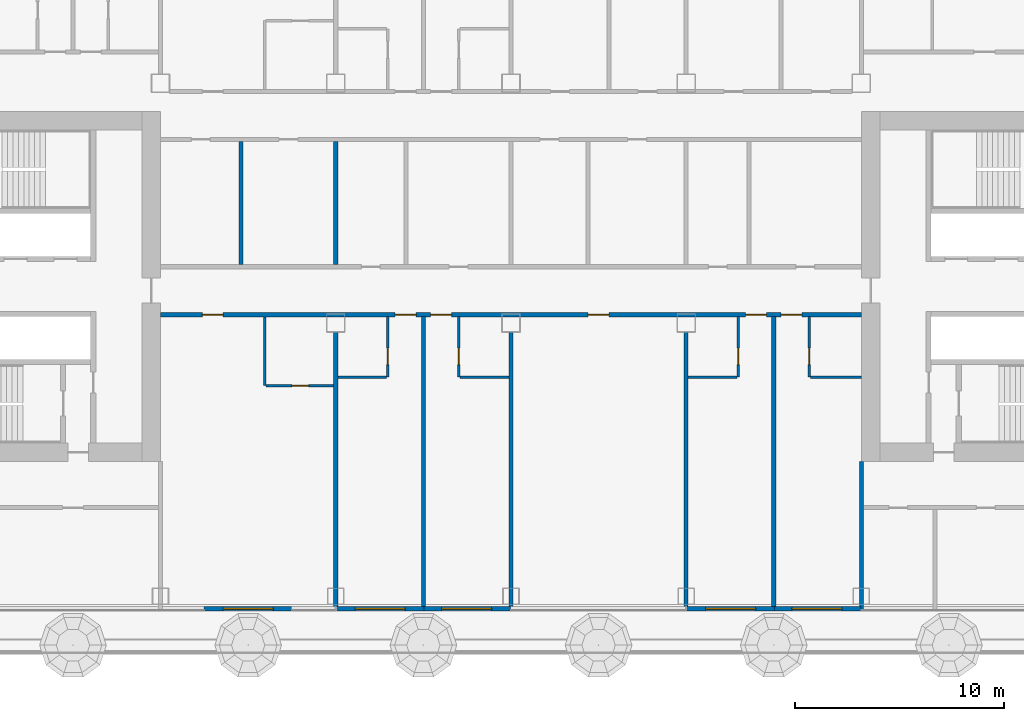
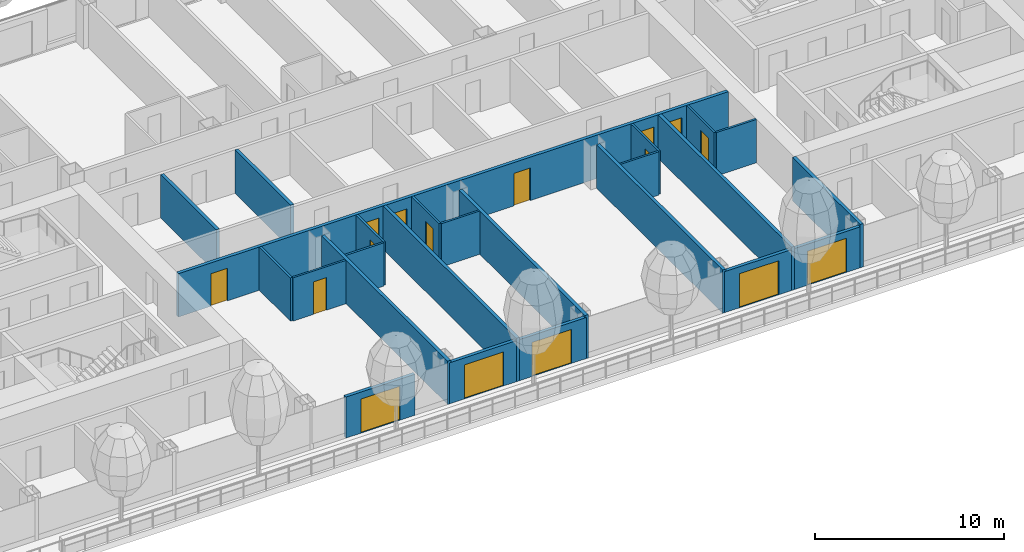
# One storey, part 13 of 33: 24 walls, 16 doors, 16 openings, 1 element without a shape of its own.
"""IFC4 building model written with IfcOpenShell, lengths in metres."""

from ifc_helpers import new_model, si_unit, direction, frame, frame_2d, origin, place, context, subcontext, project, spatial, rectangle, extrude, material, layer, layer_set, type_object, element, fill, aggregate, save


model = new_model("IFC4")

# Units and contexts
model_context = context("Model", 3, precision=1e-05, world=origin(), true_north=direction((0.0, 1.0)))
body_context = subcontext(model_context, "Body", "Model", "MODEL_VIEW")
ifc_project = project(units=[si_unit("LENGTHUNIT", "METRE"), si_unit("AREAUNIT", "SQUARE_METRE"), si_unit("VOLUMEUNIT", "CUBIC_METRE"), si_unit("PLANEANGLEUNIT", "RADIAN"), si_unit("MASSUNIT", "GRAM", prefix="KILO")], contexts=[model_context])

# Site, building, storey
site_placement = place(None, origin())
site = spatial("IfcSite", under=ifc_project, at=site_placement, CompositionType="ELEMENT")
building_placement = place(site_placement, origin())
building = spatial("IfcBuilding", under=site, at=building_placement, Name="Hakoniwa Tower and Hamabe Station Hall", CompositionType="ELEMENT")
storey_placement = place(building_placement, frame((0.0, 0.0, 81.800048828125)))
storey = spatial("IfcBuildingStorey", under=building, at=storey_placement, Name="L22", CompositionType="ELEMENT", Elevation=81.800048828125)

# Wall, opening, door
ifc_material_1 = material(Name="Gypsum board partition", Category="gypsum")
ifc_layer_1 = layer(ifc_material_1, 0.125)
ifc_layer_set_1 = layer_set([ifc_layer_1], Name="Bathroom Partition 125")
wall_type_1 = type_object("IfcWallType", Name="Bathroom Partition 125", PredefinedType="PARTITIONING", material=ifc_layer_set_1)
wall_1_placement = place(storey_placement, frame((-11.737548828125, -4.75, 0.0), z_axis=(0.0, 0.0, 1.0), x_axis=(1.0, 0.0, 0.0)))
wall_1 = element("IfcWall", 1, at=wall_1_placement, inside=storey, type_object=wall_type_1, Name="GW-L22-007", PredefinedType="PARTITIONING", context=body_context, shape_type="SweptSolid", body=[
    extrude(rectangle(XDim=3.237548828125, YDim=0.125, at=frame_2d((1.61865234375, 0.0))), origin(), (0.0, 0.0, 1.0), 2.800048828125),
])
opening_1_placement = place(wall_1_placement, frame((1.237548828125, 0.0, 0.0)))
opening_1 = element("IfcOpeningElement", 2, at=opening_1_placement, cuts=wall_1, Name="Opening GD-G2C0-16", PredefinedType="OPENING", context=body_context, shape_type="SweptSolid", body=[
    extrude(rectangle(XDim=0.800048828125, YDim=2.10009765625, at=frame_2d((0.39990234375, 1.050048828125))), frame((0.0, 0.072509765625, 0.0), z_axis=(0.0, -1.0, 0.0), x_axis=(1.0, 0.0, 0.0)), (0.0, 0.0, 1.0), 0.14501953125),
])
ifc_material_2 = material(Name="Timber door leaf", Category="wood")
door_type_1 = type_object("IfcDoorType", Name="Bathroom Door 800", OperationType="SINGLE_SWING_LEFT", PredefinedType="DOOR", material=ifc_material_2)
door_1_placement = place(opening_1_placement, origin())
door_1 = element("IfcDoor", 3, at=door_1_placement, inside=storey, type_object=door_type_1, Name="Door GD-G2C0-16", OperationType="SINGLE_SWING_LEFT", OverallHeight=2.10009765625, OverallWidth=0.800048828125, PredefinedType="DOOR", context=body_context, shape_type="SweptSolid", body=[
    extrude(rectangle(XDim=0.800048828125, YDim=2.10009765625, at=frame_2d((0.39990234375, 1.050048828125))), frame((0.0, 0.02490234375, 0.0), z_axis=(0.0, -1.0, 0.0), x_axis=(1.0, 0.0, 0.0)), (0.0, 0.0, 1.0), 0.050048828125),
])
fill(opening_1, door_1)

# Walls
wall_2_placement = place(storey_placement, frame((-8.300048828125, -4.35009765625, 0.0), z_axis=(0.0, 0.0, 1.0), x_axis=(1.0, 0.0, 0.0)))
element("IfcWall", 4, at=wall_2_placement, inside=storey, type_object=wall_type_1, Name="GW-L22-008", PredefinedType="PARTITIONING", context=body_context, shape_type="SweptSolid", body=[
    extrude(rectangle(XDim=2.337646484375, YDim=0.125, at=frame_2d((1.1689453125, 0.0))), origin(), (0.0, 0.0, 1.0), 2.800048828125),
])
for number, where, z_axis, x_axis, name in (
    (5, (-2.4375, -4.35009765625, 0.0), (0.0, 0.0, 1.0), (1.0, 0.0, 0.0), "GW-L22-009"),
    (6, (8.5, -4.35009765625, 0.0), (0.0, 0.0, 1.0), (1.0, 0.0, 0.0), "GW-L22-010"),
):
    element("IfcWall", number, at=place(storey_placement, frame(where, z_axis=z_axis, x_axis=x_axis)), inside=storey, type_object=wall_type_1, Name=name, PredefinedType="PARTITIONING", context=body_context, shape_type="SweptSolid", body=[
        extrude(rectangle(XDim=2.33740234375, YDim=0.125, at=frame_2d((1.168701171875, 0.0))), origin(), (0.0, 0.0, 1.0), 2.800048828125),
    ])
wall_3_placement = place(storey_placement, frame((14.362548828125, -4.35009765625, 0.0), z_axis=(0.0, 0.0, 1.0), x_axis=(1.0, 0.0, 0.0)))
element("IfcWall", 7, at=wall_3_placement, inside=storey, type_object=wall_type_1, Name="GW-L22-011", PredefinedType="PARTITIONING", context=body_context, shape_type="SweptSolid", body=[
    extrude(rectangle(XDim=2.447509765625, YDim=0.125, at=frame_2d((1.2236328125, 0.0))), origin(), (0.0, 0.0, 1.0), 2.800048828125),
])
wall_4_placement = place(storey_placement, frame((-11.800048828125, -4.75, 0.0), z_axis=(0.0, 0.0, 1.0), x_axis=(0.0, 1.0, 0.0)))
element("IfcWall", 8, at=wall_4_placement, inside=storey, type_object=wall_type_1, Name="GW-L22-057", PredefinedType="PARTITIONING", context=body_context, shape_type="SweptSolid", body=[
    extrude(rectangle(XDim=3.300048828125, YDim=0.125, at=frame_2d((1.64990234375, 0.0))), origin(), (0.0, 0.0, 1.0), 2.800048828125),
])

# Wall, opening, door
wall_5_placement = place(storey_placement, frame((-5.89990234375, -4.35009765625, 0.0), z_axis=(0.0, 0.0, 1.0), x_axis=(0.0, 1.0, 0.0)))
wall_5 = element("IfcWall", 9, at=wall_5_placement, inside=storey, type_object=wall_type_1, Name="GW-L22-062", PredefinedType="PARTITIONING", context=body_context, shape_type="SweptSolid", body=[
    extrude(rectangle(XDim=2.900146484375, YDim=0.125, at=frame_2d((1.4501953125, 0.0))), origin(), (0.0, 0.0, 1.0), 2.800048828125),
])
opening_2_placement = place(wall_5_placement, frame((0.60009765625, 0.0, 0.0)))
opening_2 = element("IfcOpeningElement", 10, at=opening_2_placement, cuts=wall_5, Name="Opening GD-G2C0-61", PredefinedType="OPENING", context=body_context, shape_type="SweptSolid", body=[
    extrude(rectangle(XDim=0.800048828125, YDim=2.10009765625, at=frame_2d((0.39990234375, 1.050048828125))), frame((0.0, 0.072509765625, 0.0), z_axis=(0.0, -1.0, 0.0), x_axis=(1.0, 0.0, 0.0)), (0.0, 0.0, 1.0), 0.14501953125),
])
door_2_placement = place(opening_2_placement, origin())
door_2 = element("IfcDoor", 11, at=door_2_placement, inside=storey, type_object=door_type_1, Name="Door GD-G2C0-61", OperationType="SINGLE_SWING_RIGHT", OverallHeight=2.10009765625, OverallWidth=0.800048828125, PredefinedType="DOOR", context=body_context, shape_type="SweptSolid", body=[
    extrude(rectangle(XDim=0.800048828125, YDim=2.10009765625, at=frame_2d((0.39990234375, 1.050048828125))), frame((0.0, 0.02490234375, 0.0), z_axis=(0.0, -1.0, 0.0), x_axis=(1.0, 0.0, 0.0)), (0.0, 0.0, 1.0), 0.050048828125),
])
fill(opening_2, door_2)

wall_6_placement = place(storey_placement, frame((-2.5, -4.35009765625, 0.0), z_axis=(0.0, 0.0, 1.0), x_axis=(0.0, 1.0, 0.0)))
wall_6 = element("IfcWall", 12, at=wall_6_placement, inside=storey, type_object=wall_type_1, Name="GW-L22-067", PredefinedType="PARTITIONING", context=body_context, shape_type="SweptSolid", body=[
    extrude(rectangle(XDim=2.900146484375, YDim=0.125, at=frame_2d((1.4501953125, 0.0))), origin(), (0.0, 0.0, 1.0), 2.800048828125),
])
opening_3_placement = place(wall_6_placement, frame((0.60009765625, 0.0, 0.0)))
opening_3 = element("IfcOpeningElement", 13, at=opening_3_placement, cuts=wall_6, Name="Opening GD-G2C0-63", PredefinedType="OPENING", context=body_context, shape_type="SweptSolid", body=[
    extrude(rectangle(XDim=0.800048828125, YDim=2.10009765625, at=frame_2d((0.39990234375, 1.050048828125))), frame((0.0, 0.072509765625, 0.0), z_axis=(0.0, -1.0, 0.0), x_axis=(1.0, 0.0, 0.0)), (0.0, 0.0, 1.0), 0.14501953125),
])
door_3_placement = place(opening_3_placement, origin())
door_3 = element("IfcDoor", 14, at=door_3_placement, inside=storey, type_object=door_type_1, Name="Door GD-G2C0-63", OperationType="SINGLE_SWING_LEFT", OverallHeight=2.10009765625, OverallWidth=0.800048828125, PredefinedType="DOOR", context=body_context, shape_type="SweptSolid", body=[
    extrude(rectangle(XDim=0.800048828125, YDim=2.10009765625, at=frame_2d((0.39990234375, 1.050048828125))), frame((0.0, 0.02490234375, 0.0), z_axis=(0.0, -1.0, 0.0), x_axis=(1.0, 0.0, 0.0)), (0.0, 0.0, 1.0), 0.050048828125),
])
fill(opening_3, door_3)

wall_7_placement = place(storey_placement, frame((10.89990234375, -4.35009765625, 0.0), z_axis=(0.0, 0.0, 1.0), x_axis=(0.0, 1.0, 0.0)))
wall_7 = element("IfcWall", 15, at=wall_7_placement, inside=storey, type_object=wall_type_1, Name="GW-L22-077", PredefinedType="PARTITIONING", context=body_context, shape_type="SweptSolid", body=[
    extrude(rectangle(XDim=2.900146484375, YDim=0.125, at=frame_2d((1.4501953125, 0.0))), origin(), (0.0, 0.0, 1.0), 2.800048828125),
])
opening_4_placement = place(wall_7_placement, frame((0.60009765625, 0.0, 0.0)))
opening_4 = element("IfcOpeningElement", 16, at=opening_4_placement, cuts=wall_7, Name="Opening GD-G2C0-65", PredefinedType="OPENING", context=body_context, shape_type="SweptSolid", body=[
    extrude(rectangle(XDim=0.800048828125, YDim=2.10009765625, at=frame_2d((0.39990234375, 1.050048828125))), frame((0.0, 0.072509765625, 0.0), z_axis=(0.0, -1.0, 0.0), x_axis=(1.0, 0.0, 0.0)), (0.0, 0.0, 1.0), 0.14501953125),
])
door_4_placement = place(opening_4_placement, origin())
door_4 = element("IfcDoor", 17, at=door_4_placement, inside=storey, type_object=door_type_1, Name="Door GD-G2C0-65", OperationType="SINGLE_SWING_RIGHT", OverallHeight=2.10009765625, OverallWidth=0.800048828125, PredefinedType="DOOR", context=body_context, shape_type="SweptSolid", body=[
    extrude(rectangle(XDim=0.800048828125, YDim=2.10009765625, at=frame_2d((0.39990234375, 1.050048828125))), frame((0.0, 0.02490234375, 0.0), z_axis=(0.0, -1.0, 0.0), x_axis=(1.0, 0.0, 0.0)), (0.0, 0.0, 1.0), 0.050048828125),
])
fill(opening_4, door_4)

wall_8_placement = place(storey_placement, frame((14.300048828125, -4.35009765625, 0.0), z_axis=(0.0, 0.0, 1.0), x_axis=(0.0, 1.0, 0.0)))
wall_8 = element("IfcWall", 18, at=wall_8_placement, inside=storey, type_object=wall_type_1, Name="GW-L22-081", PredefinedType="PARTITIONING", context=body_context, shape_type="SweptSolid", body=[
    extrude(rectangle(XDim=2.900146484375, YDim=0.125, at=frame_2d((1.4501953125, 0.0))), origin(), (0.0, 0.0, 1.0), 2.800048828125),
])
opening_5_placement = place(wall_8_placement, frame((0.60009765625, 0.0, 0.0)))
opening_5 = element("IfcOpeningElement", 19, at=opening_5_placement, cuts=wall_8, Name="Opening GD-G2C0-66", PredefinedType="OPENING", context=body_context, shape_type="SweptSolid", body=[
    extrude(rectangle(XDim=0.800048828125, YDim=2.10009765625, at=frame_2d((0.39990234375, 1.050048828125))), frame((0.0, 0.072509765625, 0.0), z_axis=(0.0, -1.0, 0.0), x_axis=(1.0, 0.0, 0.0)), (0.0, 0.0, 1.0), 0.14501953125),
])
door_5_placement = place(opening_5_placement, origin())
door_5 = element("IfcDoor", 20, at=door_5_placement, inside=storey, type_object=door_type_1, Name="Door GD-G2C0-66", OperationType="SINGLE_SWING_LEFT", OverallHeight=2.10009765625, OverallWidth=0.800048828125, PredefinedType="DOOR", context=body_context, shape_type="SweptSolid", body=[
    extrude(rectangle(XDim=0.800048828125, YDim=2.10009765625, at=frame_2d((0.39990234375, 1.050048828125))), frame((0.0, 0.02490234375, 0.0), z_axis=(0.0, -1.0, 0.0), x_axis=(1.0, 0.0, 0.0)), (0.0, 0.0, 1.0), 0.050048828125),
])
fill(opening_5, door_5)

# Wall, openings, doors
ifc_material_3 = material(Name="Fire-rated gypsum board partition", Category="gypsum")
ifc_layer_2 = layer(ifc_material_3, 0.199951171875)
ifc_layer_set_2 = layer_set([ifc_layer_2], Name="Corridor Wall 200")
wall_type_2 = type_object("IfcWallType", Name="Corridor Wall 200", PredefinedType="PARTITIONING", material=ifc_layer_set_2)
wall_9_placement = place(storey_placement, frame((-16.800048828125, -1.35009765625, 0.0), z_axis=(0.0, 0.0, 1.0), x_axis=(1.0, 0.0, 0.0)))
wall_9 = element("IfcWall", 21, at=wall_9_placement, inside=storey, type_object=wall_type_2, Name="GW-L22-012", PredefinedType="PARTITIONING", context=body_context, shape_type="SweptSolid", body=[
    extrude(rectangle(XDim=33.60009765625, YDim=0.199951171875, at=frame_2d((16.800048828125, 0.0))), origin(), (0.0, 0.0, 1.0), 2.800048828125),
])
opening_6_placement = place(wall_9_placement, frame((2.0, 0.0, 0.0)))
opening_6 = element("IfcOpeningElement", 22, at=opening_6_placement, cuts=wall_9, Name="Opening GD-G2C0-17", PredefinedType="OPENING", context=body_context, shape_type="SweptSolid", body=[
    extrude(rectangle(XDim=1.0, YDim=2.10009765625, at=frame_2d((0.5, 1.050048828125))), frame((0.0, 0.10986328125, 0.0), z_axis=(0.0, -1.0, 0.0), x_axis=(1.0, 0.0, 0.0)), (0.0, 0.0, 1.0), 0.219970703125),
])
opening_7_placement = place(wall_9_placement, frame((11.25, 0.0, 0.0)))
opening_7 = element("IfcOpeningElement", 23, at=opening_7_placement, cuts=wall_9, Name="Opening GD-G2C0-18", PredefinedType="OPENING", context=body_context, shape_type="SweptSolid", body=[
    extrude(rectangle(XDim=1.0, YDim=2.10009765625, at=frame_2d((0.5, 1.050048828125))), frame((0.0, 0.10986328125, 0.0), z_axis=(0.0, -1.0, 0.0), x_axis=(1.0, 0.0, 0.0)), (0.0, 0.0, 1.0), 0.219970703125),
])
opening_8_placement = place(wall_9_placement, frame((12.949951171875, 0.0, 0.0)))
opening_8 = element("IfcOpeningElement", 24, at=opening_8_placement, cuts=wall_9, Name="Opening GD-G2C0-19", PredefinedType="OPENING", context=body_context, shape_type="SweptSolid", body=[
    extrude(rectangle(XDim=1.0, YDim=2.10009765625, at=frame_2d((0.5, 1.050048828125))), frame((0.0, 0.10986328125, 0.0), z_axis=(0.0, -1.0, 0.0), x_axis=(1.0, 0.0, 0.0)), (0.0, 0.0, 1.0), 0.219970703125),
])
opening_9_placement = place(wall_9_placement, frame((20.5, 0.0, 0.0)))
opening_9 = element("IfcOpeningElement", 25, at=opening_9_placement, cuts=wall_9, Name="Opening GD-G2C0-20", PredefinedType="OPENING", context=body_context, shape_type="SweptSolid", body=[
    extrude(rectangle(XDim=1.0, YDim=2.10009765625, at=frame_2d((0.5, 1.050048828125))), frame((0.0, 0.10986328125, 0.0), z_axis=(0.0, -1.0, 0.0), x_axis=(1.0, 0.0, 0.0)), (0.0, 0.0, 1.0), 0.219970703125),
])
opening_10_placement = place(wall_9_placement, frame((28.050048828125, 0.0, 0.0)))
opening_10 = element("IfcOpeningElement", 26, at=opening_10_placement, cuts=wall_9, Name="Opening GD-G2C0-21", PredefinedType="OPENING", context=body_context, shape_type="SweptSolid", body=[
    extrude(rectangle(XDim=1.0, YDim=2.10009765625, at=frame_2d((0.5, 1.050048828125))), frame((0.0, 0.10986328125, 0.0), z_axis=(0.0, -1.0, 0.0), x_axis=(1.0, 0.0, 0.0)), (0.0, 0.0, 1.0), 0.219970703125),
])
opening_11_placement = place(wall_9_placement, frame((29.75, 0.0, 0.0)))
opening_11 = element("IfcOpeningElement", 27, at=opening_11_placement, cuts=wall_9, Name="Opening GD-G2C0-22", PredefinedType="OPENING", context=body_context, shape_type="SweptSolid", body=[
    extrude(rectangle(XDim=1.0, YDim=2.10009765625, at=frame_2d((0.5, 1.050048828125))), frame((0.0, 0.10986328125, 0.0), z_axis=(0.0, -1.0, 0.0), x_axis=(1.0, 0.0, 0.0)), (0.0, 0.0, 1.0), 0.219970703125),
])
ifc_material_4 = material(Name="Timber door leaf", Category="wood")
door_type_2 = type_object("IfcDoorType", Name="Guest Entrance Door 1000", OperationType="SINGLE_SWING_LEFT", PredefinedType="DOOR", material=ifc_material_4)
door_6_placement = place(opening_6_placement, origin())
door_6 = element("IfcDoor", 28, at=door_6_placement, inside=storey, type_object=door_type_2, Name="Door GD-G2C0-17", OperationType="SINGLE_SWING_LEFT", OverallHeight=2.10009765625, OverallWidth=1.0, PredefinedType="DOOR", context=body_context, shape_type="SweptSolid", body=[
    extrude(rectangle(XDim=1.0, YDim=2.10009765625, at=frame_2d((0.5, 1.050048828125))), frame((0.0, 0.02490234375, 0.0), z_axis=(0.0, -1.0, 0.0), x_axis=(1.0, 0.0, 0.0)), (0.0, 0.0, 1.0), 0.050048828125),
])
fill(opening_6, door_6)
door_7_placement = place(opening_7_placement, origin())
door_7 = element("IfcDoor", 29, at=door_7_placement, inside=storey, type_object=door_type_2, Name="Door GD-G2C0-18", OperationType="SINGLE_SWING_RIGHT", OverallHeight=2.10009765625, OverallWidth=1.0, PredefinedType="DOOR", context=body_context, shape_type="SweptSolid", body=[
    extrude(rectangle(XDim=1.0, YDim=2.10009765625, at=frame_2d((0.5, 1.050048828125))), frame((0.0, 0.02490234375, 0.0), z_axis=(0.0, -1.0, 0.0), x_axis=(1.0, 0.0, 0.0)), (0.0, 0.0, 1.0), 0.050048828125),
])
fill(opening_7, door_7)
door_8_placement = place(opening_8_placement, origin())
door_8 = element("IfcDoor", 30, at=door_8_placement, inside=storey, type_object=door_type_2, Name="Door GD-G2C0-19", OperationType="SINGLE_SWING_LEFT", OverallHeight=2.10009765625, OverallWidth=1.0, PredefinedType="DOOR", context=body_context, shape_type="SweptSolid", body=[
    extrude(rectangle(XDim=1.0, YDim=2.10009765625, at=frame_2d((0.5, 1.050048828125))), frame((0.0, 0.02490234375, 0.0), z_axis=(0.0, -1.0, 0.0), x_axis=(1.0, 0.0, 0.0)), (0.0, 0.0, 1.0), 0.050048828125),
])
fill(opening_8, door_8)
door_9_placement = place(opening_9_placement, origin())
door_9 = element("IfcDoor", 31, at=door_9_placement, inside=storey, type_object=door_type_2, Name="Door GD-G2C0-20", OperationType="SINGLE_SWING_LEFT", OverallHeight=2.10009765625, OverallWidth=1.0, PredefinedType="DOOR", context=body_context, shape_type="SweptSolid", body=[
    extrude(rectangle(XDim=1.0, YDim=2.10009765625, at=frame_2d((0.5, 1.050048828125))), frame((0.0, 0.02490234375, 0.0), z_axis=(0.0, -1.0, 0.0), x_axis=(1.0, 0.0, 0.0)), (0.0, 0.0, 1.0), 0.050048828125),
])
fill(opening_9, door_9)
door_10_placement = place(opening_10_placement, origin())
door_10 = element("IfcDoor", 32, at=door_10_placement, inside=storey, type_object=door_type_2, Name="Door GD-G2C0-21", OperationType="SINGLE_SWING_RIGHT", OverallHeight=2.10009765625, OverallWidth=1.0, PredefinedType="DOOR", context=body_context, shape_type="SweptSolid", body=[
    extrude(rectangle(XDim=1.0, YDim=2.10009765625, at=frame_2d((0.5, 1.050048828125))), frame((0.0, 0.02490234375, 0.0), z_axis=(0.0, -1.0, 0.0), x_axis=(1.0, 0.0, 0.0)), (0.0, 0.0, 1.0), 0.050048828125),
])
fill(opening_10, door_10)
door_11_placement = place(opening_11_placement, origin())
door_11 = element("IfcDoor", 33, at=door_11_placement, inside=storey, type_object=door_type_2, Name="Door GD-G2C0-22", OperationType="SINGLE_SWING_LEFT", OverallHeight=2.10009765625, OverallWidth=1.0, PredefinedType="DOOR", context=body_context, shape_type="SweptSolid", body=[
    extrude(rectangle(XDim=1.0, YDim=2.10009765625, at=frame_2d((0.5, 1.050048828125))), frame((0.0, 0.02490234375, 0.0), z_axis=(0.0, -1.0, 0.0), x_axis=(1.0, 0.0, 0.0)), (0.0, 0.0, 1.0), 0.050048828125),
])
fill(opening_11, door_11)

# Curtain wall, walls, openings, doors
ifc_material_5 = material(Name="Dark low-e laminated glass", Category="glass")
ifc_layer_3 = layer(ifc_material_5, 0.199951171875)
ifc_layer_set_3 = layer_set([ifc_layer_3], Name="CW-1 UNITISED GUEST")
curtain_wall_type = type_object("IfcCurtainWallType", Name="CW-1 UNITISED GUEST", PredefinedType="NOTDEFINED", material=ifc_layer_set_3)
curtain_wall_placement = place(storey_placement, origin())
curtain_wall = element("IfcCurtainWall", 34, at=curtain_wall_placement, inside=storey, type_object=curtain_wall_type, Name="CW-1 curtain wall", PredefinedType="NOTDEFINED")
ifc_material_6 = material(Name="Dark glass-faced aluminium panel", Category="aluminium")
ifc_layer_4 = layer(ifc_material_6, 0.199951171875)
ifc_layer_set_4 = layer_set([ifc_layer_4], Name="DOOR BAY WALL")
wall_type_3 = type_object("IfcWallType", Name="DOOR BAY WALL", PredefinedType="NOTDEFINED", material=ifc_layer_set_4)
wall_10_placement = place(storey_placement, frame((-14.7099609375, -15.449951171875, 0.0), z_axis=(0.0, 0.0, 1.0), x_axis=(1.0, 0.0, 0.0)))
wall_10 = element("IfcWall", 35, at=wall_10_placement, type_object=wall_type_3, Name="Door bay wall", PredefinedType="NOTDEFINED", context=body_context, shape_type="SweptSolid", body=[
    extrude(rectangle(XDim=4.219970703125, YDim=0.199951171875, at=frame_2d((2.10986328125, 0.0))), origin(), (0.0, 0.0, 1.0), 2.64990234375),
])
opening_12_placement = place(wall_10_placement, frame((0.909912109375, 0.0, 0.0)))
opening_12 = element("IfcOpeningElement", 36, at=opening_12_placement, cuts=wall_10, Name="Opening BD-S07-4", PredefinedType="OPENING", context=body_context, shape_type="SweptSolid", body=[
    extrude(rectangle(XDim=2.39990234375, YDim=2.199951171875, at=frame_2d((1.199951171875, 1.10009765625))), frame((0.0, 0.10986328125, 0.0), z_axis=(0.0, -1.0, 0.0), x_axis=(1.0, 0.0, 0.0)), (0.0, 0.0, 1.0), 0.219970703125),
])
ifc_material_7 = material(Name="Dark low-e laminated glass", Category="glass")
door_type_3 = type_object("IfcDoorType", Name="BALCONY SLIDING DOOR 2400X2200", OperationType="SLIDING_TO_LEFT", PredefinedType="DOOR", material=ifc_material_7)
door_12_placement = place(opening_12_placement, frame((2.39990234375, 0.0, 0.0), z_axis=(0.0, 0.0, 1.0), x_axis=(-1.0, 0.0, 0.0)))
door_12 = element("IfcDoor", 37, at=door_12_placement, inside=storey, type_object=door_type_3, Name="Balcony sliding door", OperationType="SLIDING_TO_LEFT", OverallHeight=2.199951171875, OverallWidth=2.39990234375, PredefinedType="DOOR", context=body_context, shape_type="SweptSolid", body=[
    extrude(rectangle(XDim=2.39990234375, YDim=2.199951171875, at=frame_2d((1.199951171875, 1.10009765625))), frame((0.0, 0.02490234375, 0.0), z_axis=(0.0, -1.0, 0.0), x_axis=(1.0, 0.0, 0.0)), (0.0, 0.0, 1.0), 0.050048828125),
])
fill(opening_12, door_12)
wall_11_placement = place(storey_placement, frame((-8.3798828125, -15.449951171875, 0.0), z_axis=(0.0, 0.0, 1.0), x_axis=(1.0, 0.0, 0.0)))
wall_11 = element("IfcWall", 38, at=wall_11_placement, type_object=wall_type_3, Name="Door bay wall", PredefinedType="NOTDEFINED", context=body_context, shape_type="SweptSolid", body=[
    extrude(rectangle(XDim=4.219970703125, YDim=0.199951171875, at=frame_2d((2.10986328125, 0.0))), origin(), (0.0, 0.0, 1.0), 2.64990234375),
])
opening_13_placement = place(wall_11_placement, frame((0.909912109375, 0.0, 0.0)))
opening_13 = element("IfcOpeningElement", 39, at=opening_13_placement, cuts=wall_11, Name="Opening BD-S07-5", PredefinedType="OPENING", context=body_context, shape_type="SweptSolid", body=[
    extrude(rectangle(XDim=2.39990234375, YDim=2.199951171875, at=frame_2d((1.199951171875, 1.10009765625))), frame((0.0, 0.10986328125, 0.0), z_axis=(0.0, -1.0, 0.0), x_axis=(1.0, 0.0, 0.0)), (0.0, 0.0, 1.0), 0.219970703125),
])
door_13_placement = place(opening_13_placement, frame((2.39990234375, 0.0, 0.0), z_axis=(0.0, 0.0, 1.0), x_axis=(-1.0, 0.0, 0.0)))
door_13 = element("IfcDoor", 40, at=door_13_placement, inside=storey, type_object=door_type_3, Name="Balcony sliding door", OperationType="SLIDING_TO_LEFT", OverallHeight=2.199951171875, OverallWidth=2.39990234375, PredefinedType="DOOR", context=body_context, shape_type="SweptSolid", body=[
    extrude(rectangle(XDim=2.39990234375, YDim=2.199951171875, at=frame_2d((1.199951171875, 1.10009765625))), frame((0.0, 0.02490234375, 0.0), z_axis=(0.0, -1.0, 0.0), x_axis=(1.0, 0.0, 0.0)), (0.0, 0.0, 1.0), 0.050048828125),
])
fill(opening_13, door_13)
wall_12_placement = place(storey_placement, frame((-4.239990234375, -15.449951171875, 0.0), z_axis=(0.0, 0.0, 1.0), x_axis=(1.0, 0.0, 0.0)))
wall_12 = element("IfcWall", 41, at=wall_12_placement, type_object=wall_type_3, Name="Door bay wall", PredefinedType="NOTDEFINED", context=body_context, shape_type="SweptSolid", body=[
    extrude(rectangle(XDim=4.219970703125, YDim=0.199951171875, at=frame_2d((2.10986328125, 0.0))), origin(), (0.0, 0.0, 1.0), 2.64990234375),
])
opening_14_placement = place(wall_12_placement, frame((0.909912109375, 0.0, 0.0)))
opening_14 = element("IfcOpeningElement", 42, at=opening_14_placement, cuts=wall_12, Name="Opening BD-S07-6", PredefinedType="OPENING", context=body_context, shape_type="SweptSolid", body=[
    extrude(rectangle(XDim=2.39990234375, YDim=2.199951171875, at=frame_2d((1.199951171875, 1.10009765625))), frame((0.0, 0.10986328125, 0.0), z_axis=(0.0, -1.0, 0.0), x_axis=(1.0, 0.0, 0.0)), (0.0, 0.0, 1.0), 0.219970703125),
])
door_14_placement = place(opening_14_placement, frame((2.39990234375, 0.0, 0.0), z_axis=(0.0, 0.0, 1.0), x_axis=(-1.0, 0.0, 0.0)))
door_14 = element("IfcDoor", 43, at=door_14_placement, inside=storey, type_object=door_type_3, Name="Balcony sliding door", OperationType="SLIDING_TO_LEFT", OverallHeight=2.199951171875, OverallWidth=2.39990234375, PredefinedType="DOOR", context=body_context, shape_type="SweptSolid", body=[
    extrude(rectangle(XDim=2.39990234375, YDim=2.199951171875, at=frame_2d((1.199951171875, 1.10009765625))), frame((0.0, 0.02490234375, 0.0), z_axis=(0.0, -1.0, 0.0), x_axis=(1.0, 0.0, 0.0)), (0.0, 0.0, 1.0), 0.050048828125),
])
fill(opening_14, door_14)
wall_13_placement = place(storey_placement, frame((8.419921875, -15.449951171875, 0.0), z_axis=(0.0, 0.0, 1.0), x_axis=(1.0, 0.0, 0.0)))
wall_13 = element("IfcWall", 44, at=wall_13_placement, type_object=wall_type_3, Name="Door bay wall", PredefinedType="NOTDEFINED", context=body_context, shape_type="SweptSolid", body=[
    extrude(rectangle(XDim=4.219970703125, YDim=0.199951171875, at=frame_2d((2.10986328125, 0.0))), origin(), (0.0, 0.0, 1.0), 2.64990234375),
])
opening_15_placement = place(wall_13_placement, frame((0.909912109375, 0.0, 0.0)))
opening_15 = element("IfcOpeningElement", 45, at=opening_15_placement, cuts=wall_13, Name="Opening BD-S07-7", PredefinedType="OPENING", context=body_context, shape_type="SweptSolid", body=[
    extrude(rectangle(XDim=2.39990234375, YDim=2.199951171875, at=frame_2d((1.199951171875, 1.10009765625))), frame((0.0, 0.10986328125, 0.0), z_axis=(0.0, -1.0, 0.0), x_axis=(1.0, 0.0, 0.0)), (0.0, 0.0, 1.0), 0.219970703125),
])
door_15_placement = place(opening_15_placement, frame((2.39990234375, 0.0, 0.0), z_axis=(0.0, 0.0, 1.0), x_axis=(-1.0, 0.0, 0.0)))
door_15 = element("IfcDoor", 46, at=door_15_placement, inside=storey, type_object=door_type_3, Name="Balcony sliding door", OperationType="SLIDING_TO_LEFT", OverallHeight=2.199951171875, OverallWidth=2.39990234375, PredefinedType="DOOR", context=body_context, shape_type="SweptSolid", body=[
    extrude(rectangle(XDim=2.39990234375, YDim=2.199951171875, at=frame_2d((1.199951171875, 1.10009765625))), frame((0.0, 0.02490234375, 0.0), z_axis=(0.0, -1.0, 0.0), x_axis=(1.0, 0.0, 0.0)), (0.0, 0.0, 1.0), 0.050048828125),
])
fill(opening_15, door_15)
wall_14_placement = place(storey_placement, frame((12.56005859375, -15.449951171875, 0.0), z_axis=(0.0, 0.0, 1.0), x_axis=(1.0, 0.0, 0.0)))
wall_14 = element("IfcWall", 47, at=wall_14_placement, type_object=wall_type_3, Name="Door bay wall", PredefinedType="NOTDEFINED", context=body_context, shape_type="SweptSolid", body=[
    extrude(rectangle(XDim=4.219970703125, YDim=0.199951171875, at=frame_2d((2.10986328125, 0.0))), origin(), (0.0, 0.0, 1.0), 2.64990234375),
])
opening_16_placement = place(wall_14_placement, frame((0.909912109375, 0.0, 0.0)))
opening_16 = element("IfcOpeningElement", 48, at=opening_16_placement, cuts=wall_14, Name="Opening BD-S07-8", PredefinedType="OPENING", context=body_context, shape_type="SweptSolid", body=[
    extrude(rectangle(XDim=2.39990234375, YDim=2.199951171875, at=frame_2d((1.199951171875, 1.10009765625))), frame((0.0, 0.10986328125, 0.0), z_axis=(0.0, -1.0, 0.0), x_axis=(1.0, 0.0, 0.0)), (0.0, 0.0, 1.0), 0.219970703125),
])
door_16_placement = place(opening_16_placement, frame((2.39990234375, 0.0, 0.0), z_axis=(0.0, 0.0, 1.0), x_axis=(-1.0, 0.0, 0.0)))
door_16 = element("IfcDoor", 49, at=door_16_placement, inside=storey, type_object=door_type_3, Name="Balcony sliding door", OperationType="SLIDING_TO_LEFT", OverallHeight=2.199951171875, OverallWidth=2.39990234375, PredefinedType="DOOR", context=body_context, shape_type="SweptSolid", body=[
    extrude(rectangle(XDim=2.39990234375, YDim=2.199951171875, at=frame_2d((1.199951171875, 1.10009765625))), frame((0.0, 0.02490234375, 0.0), z_axis=(0.0, -1.0, 0.0), x_axis=(1.0, 0.0, 0.0)), (0.0, 0.0, 1.0), 0.050048828125),
])
fill(opening_16, door_16)
aggregate(curtain_wall, [wall_10, wall_11, wall_12, wall_13, wall_14])

# Walls
ifc_material_8 = material(Name="Fire-rated gypsum board partition", Category="gypsum")
ifc_layer_5 = layer(ifc_material_8, 0.199951171875)
ifc_layer_set_5 = layer_set([ifc_layer_5], Name="Party Wall 200")
wall_type_4 = type_object("IfcWallType", Name="Party Wall 200", PredefinedType="PARTITIONING", material=ifc_layer_set_5)
wall_15_placement = place(storey_placement, frame((-12.93994140625, 1.050048828125, 0.0), z_axis=(0.0, 0.0, 1.0), x_axis=(0.0, 1.0, 0.0)))
element("IfcWall", 50, at=wall_15_placement, inside=storey, type_object=wall_type_4, Name="GW-L22-056", PredefinedType="PARTITIONING", context=body_context, shape_type="SweptSolid", body=[
    extrude(rectangle(XDim=5.89990234375, YDim=0.199951171875, at=frame_2d((2.949951171875, 0.0))), origin(), (0.0, 0.0, 1.0), 2.800048828125),
])
wall_16_placement = place(storey_placement, frame((-8.39990234375, -15.550048828125, 0.0), z_axis=(0.0, 0.0, 1.0), x_axis=(0.0, 1.0, 0.0)))
element("IfcWall", 51, at=wall_16_placement, inside=storey, type_object=wall_type_4, Name="GW-L22-059", PredefinedType="PARTITIONING", context=body_context, shape_type="SweptSolid", body=[
    extrude(rectangle(XDim=13.360107421875, YDim=0.199951171875, at=frame_2d((6.68017578125, 0.0))), origin(), (0.0, 0.0, 1.0), 2.800048828125),
])
wall_17_placement = place(storey_placement, frame((-8.39990234375, 1.050048828125, 0.0), z_axis=(0.0, 0.0, 1.0), x_axis=(0.0, 1.0, 0.0)))
element("IfcWall", 52, at=wall_17_placement, inside=storey, type_object=wall_type_4, Name="GW-L22-060", PredefinedType="PARTITIONING", context=body_context, shape_type="SweptSolid", body=[
    extrude(rectangle(XDim=5.89990234375, YDim=0.199951171875, at=frame_2d((2.949951171875, 0.0))), origin(), (0.0, 0.0, 1.0), 2.800048828125),
])
wall_18_placement = place(storey_placement, frame((-4.199951171875, -15.550048828125, 0.0), z_axis=(0.0, 0.0, 1.0), x_axis=(0.0, 1.0, 0.0)))
element("IfcWall", 53, at=wall_18_placement, inside=storey, type_object=wall_type_4, Name="GW-L22-065", PredefinedType="PARTITIONING", context=body_context, shape_type="SweptSolid", body=[
    extrude(rectangle(XDim=14.10009765625, YDim=0.199951171875, at=frame_2d((7.050048828125, 0.0))), origin(), (0.0, 0.0, 1.0), 2.800048828125),
])
for number, where, z_axis, x_axis, name in (
    (54, (0.0, -15.550048828125, 0.0), (0.0, 0.0, 1.0), (0.0, 1.0, 0.0), "GW-L22-069"),
    (55, (8.39990234375, -15.550048828125, 0.0), (0.0, 0.0, 1.0), (0.0, 1.0, 0.0), "GW-L22-074"),
):
    element("IfcWall", number, at=place(storey_placement, frame(where, z_axis=z_axis, x_axis=x_axis)), inside=storey, type_object=wall_type_4, Name=name, PredefinedType="PARTITIONING", context=body_context, shape_type="SweptSolid", body=[
        extrude(rectangle(XDim=13.360107421875, YDim=0.199951171875, at=frame_2d((6.68017578125, 0.0))), origin(), (0.0, 0.0, 1.0), 2.800048828125),
    ])
wall_19_placement = place(storey_placement, frame((12.60009765625, -15.550048828125, 0.0), z_axis=(0.0, 0.0, 1.0), x_axis=(0.0, 1.0, 0.0)))
element("IfcWall", 56, at=wall_19_placement, inside=storey, type_object=wall_type_4, Name="GW-L22-079", PredefinedType="PARTITIONING", context=body_context, shape_type="SweptSolid", body=[
    extrude(rectangle(XDim=14.10009765625, YDim=0.199951171875, at=frame_2d((7.050048828125, 0.0))), origin(), (0.0, 0.0, 1.0), 2.800048828125),
])
wall_20_placement = place(storey_placement, frame((16.800048828125, -15.550048828125, 0.0), z_axis=(0.0, 0.0, 1.0), x_axis=(0.0, 1.0, 0.0)))
element("IfcWall", 57, at=wall_20_placement, inside=storey, type_object=wall_type_4, Name="GW-L22-082", PredefinedType="PARTITIONING", context=body_context, shape_type="SweptSolid", body=[
    extrude(rectangle(XDim=7.16015625, YDim=0.199951171875, at=frame_2d((3.580078125, 0.0))), origin(), (0.0, 0.0, 1.0), 2.800048828125),
])

save(model, "model.ifc")
